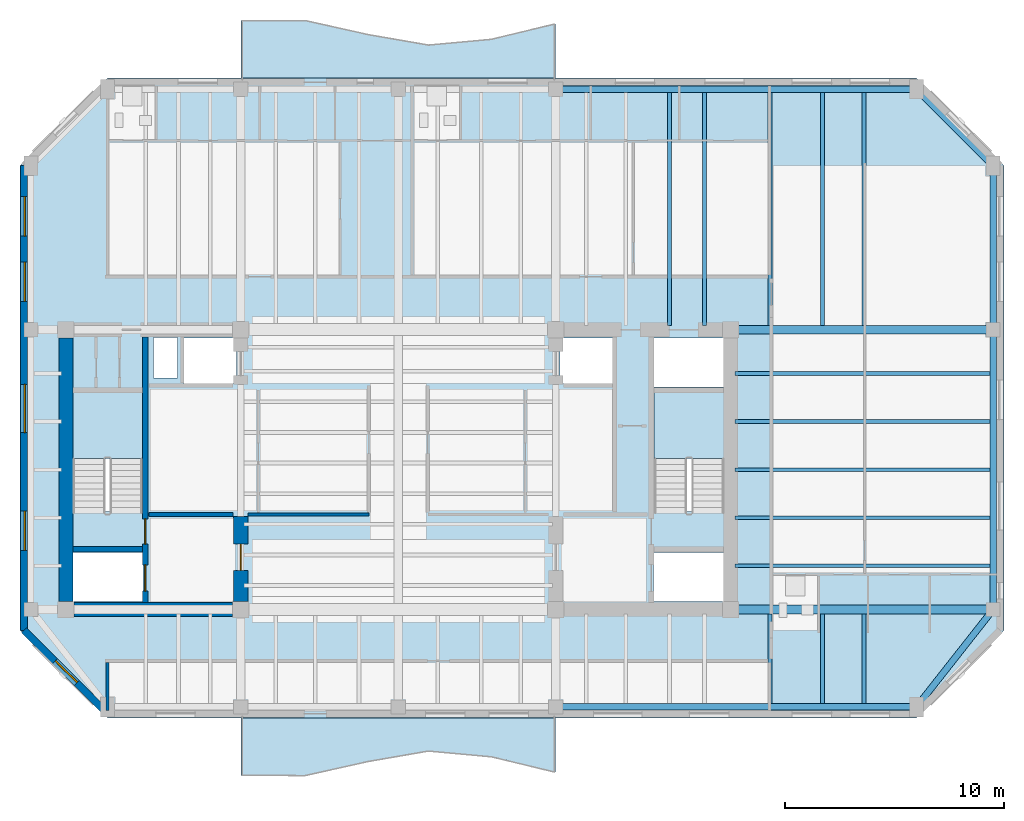
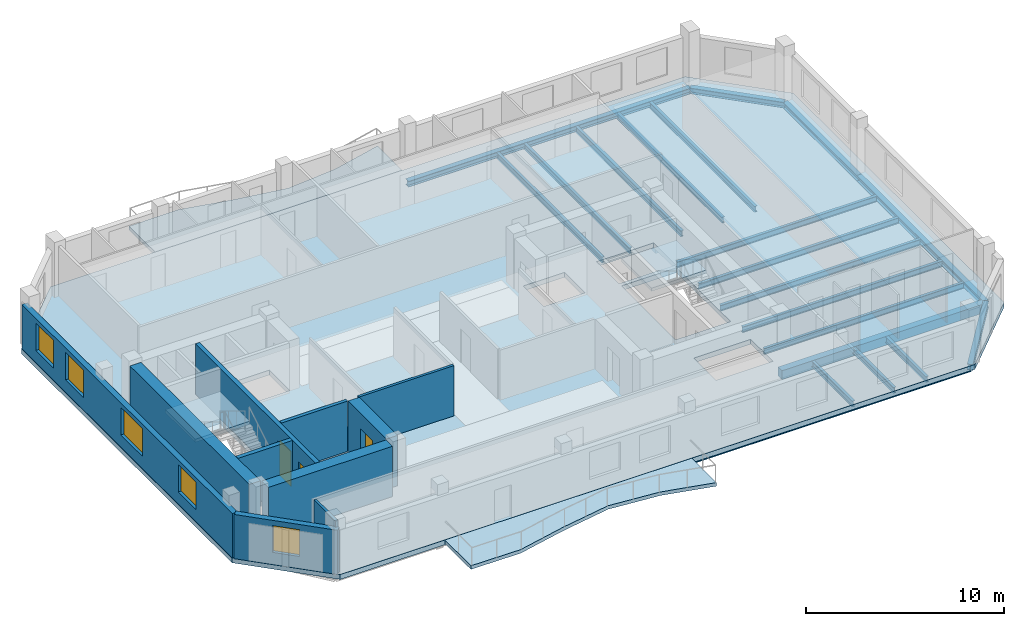
# One storey, part 2 of 9: 21 beams, 10 walls, 5 slabs, 5 windows, 3 doors, 8 openings, 2 elements without a shape of their own.
"""IFC4 building model written with IfcOpenShell, lengths in metres."""

from ifc_helpers import new_model, si_unit, direction, frame, frame_2d, origin, origin_2d, place, context, subcontext, project, spatial, polyline, rectangle, i_section, outline, extrude, material, layer, layer_set, material_profile, profile_set, type_object, element, fill, aggregate, save


model = new_model("IFC4")

# Units and contexts
model_context = context("Model", 3, precision=1e-05, world=origin(), true_north=direction((0.0, 1.0)))
body_context = subcontext(model_context, "Body", "Model", "MODEL_VIEW")
ifc_project = project(units=[si_unit("LENGTHUNIT", "METRE"), si_unit("AREAUNIT", "SQUARE_METRE"), si_unit("VOLUMEUNIT", "CUBIC_METRE"), si_unit("PLANEANGLEUNIT", "RADIAN"), si_unit("MASSUNIT", "GRAM", prefix="KILO")], contexts=[model_context])

# Site, building, storey
site_placement = place(None, origin())
site = spatial("IfcSite", under=ifc_project, at=site_placement, CompositionType="ELEMENT")
building_placement = place(site_placement, origin())
building = spatial("IfcBuilding", under=site, at=building_placement, Name="Kranthara Brick Stack", CompositionType="ELEMENT")
storey_placement = place(building_placement, frame((0.0, 0.0, 255.10009765625)))
storey = spatial("IfcBuildingStorey", under=building, at=storey_placement, Name="L67", CompositionType="ELEMENT", Elevation=255.10009765625)

# Beams
ifc_material_1 = material(Name="Post-tensioned concrete C45/55", Category="concrete")
ifc_material_profile_1 = material_profile(ifc_material_1, rectangle(XDim=0.39990234375, YDim=0.550048828125, at=origin_2d()), Name="PT 400x550")
ifc_profile_set_1 = profile_set([ifc_material_profile_1], Name="Post-tensioned concrete C45/55")
beam_type_1 = type_object("IfcBeamType", Name="BM-FLR-PT550", PredefinedType="BEAM", material=ifc_profile_set_1)
for number, where, z_axis, x_axis, name in (
    (1, (43.199951171875, 20.800048828125, -0.5751953125), (1.0, 0.0, 0.0), (0.0, 1.0, 0.0), "L67 Primary Grid Girder 029"),
    (2, (43.199951171875, 33.60009765625, -0.5751953125), (1.0, 0.0, 0.0), (0.0, 1.0, 0.0), "L67 Primary Grid Girder 031"),
):
    element("IfcBeam", number, at=place(storey_placement, frame(where, z_axis=z_axis, x_axis=x_axis)), inside=storey, type_object=beam_type_1, Name=name, PredefinedType="BEAM", context=body_context, shape_type="SweptSolid", body=[
        extrude(rectangle(XDim=0.39990234375, YDim=0.550048828125, at=origin_2d()), origin(), (0.0, 0.0, 1.0), 12.0),
    ])
ifc_material_2 = material(Name="Steel S355", Category="steel")
ifc_material_profile_2 = material_profile(ifc_material_2, i_section(OverallWidth=0.169921875, OverallDepth=0.360107421875, WebThickness=0.008056640625, FlangeThickness=0.0126953125, at=origin_2d()), Name="IPE 360")
ifc_profile_set_2 = profile_set([ifc_material_profile_2], Name="Steel S355")
beam_type_2 = type_object("IfcBeamType", Name="BM-JST-IPE360", PredefinedType="JOIST", material=ifc_profile_set_2)
for number, where, z_axis, x_axis, name in (
    (3, (40.39990234375, 33.800048828125, -0.47998046875), (0.0, 1.0, 0.0), (-1.0, 0.0, 0.0), "L67 North Wing Floor Joist 073"),
    (4, (42.0, 33.800048828125, -0.47998046875), (0.0, 1.0, 0.0), (-1.0, 0.0, 0.0), "L67 North Wing Floor Joist 075"),
):
    element("IfcBeam", number, at=place(storey_placement, frame(where, z_axis=z_axis, x_axis=x_axis)), inside=storey, type_object=beam_type_2, Name=name, PredefinedType="JOIST", context=body_context, shape_type="SweptSolid", body=[
        extrude(i_section(OverallWidth=0.169921875, OverallDepth=0.360107421875, WebThickness=0.008056640625, FlangeThickness=0.0126953125, at=origin_2d()), origin(), (0.0, 0.0, 1.0), 10.64990234375),
    ])
beam_1_placement = place(storey_placement, frame((45.0, 16.5, -0.47998046875), z_axis=(0.0, 1.0, 0.0), x_axis=(-1.0, 0.0, 0.0)))
element("IfcBeam", 5, at=beam_1_placement, inside=storey, type_object=beam_type_2, Name="L67 South Wing Floor Joist 076", PredefinedType="JOIST", context=body_context, shape_type="SweptSolid", body=[
    extrude(i_section(OverallWidth=0.169921875, OverallDepth=0.360107421875, WebThickness=0.008056640625, FlangeThickness=0.0126953125, at=origin_2d()), origin(), (0.0, 0.0, 1.0), 4.10009765625),
])
beam_2_placement = place(storey_placement, frame((45.0, 33.800048828125, -0.47998046875), z_axis=(0.0, 1.0, 0.0), x_axis=(-1.0, 0.0, 0.0)))
element("IfcBeam", 6, at=beam_2_placement, inside=storey, type_object=beam_type_2, Name="L67 North Wing Floor Joist 077", PredefinedType="JOIST", context=body_context, shape_type="SweptSolid", body=[
    extrude(i_section(OverallWidth=0.169921875, OverallDepth=0.360107421875, WebThickness=0.008056640625, FlangeThickness=0.0126953125, at=origin_2d()), origin(), (0.0, 0.0, 1.0), 10.64990234375),
])
beam_3_placement = place(storey_placement, frame((47.39990234375, 16.5, -0.47998046875), z_axis=(0.0, 1.0, 0.0), x_axis=(-1.0, 0.0, 0.0)))
element("IfcBeam", 7, at=beam_3_placement, inside=storey, type_object=beam_type_2, Name="L67 South Wing Floor Joist 078", PredefinedType="JOIST", context=body_context, shape_type="SweptSolid", body=[
    extrude(i_section(OverallWidth=0.169921875, OverallDepth=0.360107421875, WebThickness=0.008056640625, FlangeThickness=0.0126953125, at=origin_2d()), origin(), (0.0, 0.0, 1.0), 4.10009765625),
])
beam_4_placement = place(storey_placement, frame((47.39990234375, 33.800048828125, -0.47998046875), z_axis=(0.0, 1.0, 0.0), x_axis=(-1.0, 0.0, 0.0)))
element("IfcBeam", 8, at=beam_4_placement, inside=storey, type_object=beam_type_2, Name="L67 North Wing Floor Joist 079", PredefinedType="JOIST", context=body_context, shape_type="SweptSolid", body=[
    extrude(i_section(OverallWidth=0.169921875, OverallDepth=0.360107421875, WebThickness=0.008056640625, FlangeThickness=0.0126953125, at=origin_2d()), origin(), (0.0, 0.0, 1.0), 10.64990234375),
])
beam_5_placement = place(storey_placement, frame((49.300048828125, 16.5, -0.47998046875), z_axis=(0.0, 1.0, 0.0), x_axis=(-1.0, 0.0, 0.0)))
element("IfcBeam", 9, at=beam_5_placement, inside=storey, type_object=beam_type_2, Name="L67 South Wing Floor Joist 080", PredefinedType="JOIST", context=body_context, shape_type="SweptSolid", body=[
    extrude(i_section(OverallWidth=0.169921875, OverallDepth=0.360107421875, WebThickness=0.008056640625, FlangeThickness=0.0126953125, at=origin_2d()), origin(), (0.0, 0.0, 1.0), 4.10009765625),
])
beam_6_placement = place(storey_placement, frame((49.300048828125, 33.800048828125, -0.47998046875), z_axis=(0.0, 1.0, 0.0), x_axis=(-1.0, 0.0, 0.0)))
element("IfcBeam", 10, at=beam_6_placement, inside=storey, type_object=beam_type_2, Name="L67 North Wing Floor Joist 081", PredefinedType="JOIST", context=body_context, shape_type="SweptSolid", body=[
    extrude(i_section(OverallWidth=0.169921875, OverallDepth=0.360107421875, WebThickness=0.008056640625, FlangeThickness=0.0126953125, at=origin_2d()), origin(), (0.0, 0.0, 1.0), 10.64990234375),
])
for number, where, z_axis, x_axis, name in (
    (11, (43.39990234375, 22.800048828125, -0.47998046875), (1.0, 0.0, 0.0), (0.0, 1.0, 0.0), "L67 East Wing Floor Joist 083"),
    (12, (43.39990234375, 25.0, -0.47998046875), (1.0, 0.0, 0.0), (0.0, 1.0, 0.0), "L67 East Wing Floor Joist 085"),
    (13, (43.39990234375, 27.199951171875, -0.47998046875), (1.0, 0.0, 0.0), (0.0, 1.0, 0.0), "L67 East Wing Floor Joist 087"),
    (14, (43.39990234375, 29.39990234375, -0.47998046875), (1.0, 0.0, 0.0), (0.0, 1.0, 0.0), "L67 East Wing Floor Joist 089"),
    (15, (43.39990234375, 31.60009765625, -0.47998046875), (1.0, 0.0, 0.0), (0.0, 1.0, 0.0), "L67 East Wing Floor Joist 091"),
):
    element("IfcBeam", number, at=place(storey_placement, frame(where, z_axis=z_axis, x_axis=x_axis)), inside=storey, type_object=beam_type_2, Name=name, PredefinedType="JOIST", context=body_context, shape_type="SweptSolid", body=[
        extrude(i_section(OverallWidth=0.169921875, OverallDepth=0.360107421875, WebThickness=0.008056640625, FlangeThickness=0.0126953125, at=origin_2d()), origin(), (0.0, 0.0, 1.0), 11.650146484375),
    ])
ifc_material_3 = material(Name="Steel S355", Category="steel")
ifc_material_profile_3 = material_profile(ifc_material_3, i_section(OverallWidth=0.300048828125, OverallDepth=0.360107421875, WebThickness=0.012451171875, FlangeThickness=0.0224609375, at=origin_2d()), Name="HEB 360")
ifc_profile_set_3 = profile_set([ifc_material_profile_3], Name="Steel S355")
beam_type_3 = type_object("IfcBeamType", Name="BM-STL-HEB360", PredefinedType="SPANDREL", material=ifc_profile_set_3)
for number, where, z_axis, x_axis, name in (
    (16, (35.199951171875, 16.35009765625, -0.47998046875), (1.0, 0.0, 0.0), (0.0, 1.0, 0.0), "L67 Perimeter Spandrel Beam 008"),
    (17, (35.199951171875, 44.60009765625, -0.47998046875), (1.0, 0.0, 0.0), (0.0, 1.0, 0.0), "L67 Perimeter Spandrel Beam 012"),
):
    element("IfcBeam", number, at=place(storey_placement, frame(where, z_axis=z_axis, x_axis=x_axis)), inside=storey, type_object=beam_type_3, Name=name, PredefinedType="SPANDREL", context=body_context, shape_type="SweptSolid", body=[
        extrude(i_section(OverallWidth=0.300048828125, OverallDepth=0.360107421875, WebThickness=0.012451171875, FlangeThickness=0.0224609375, at=origin_2d()), origin(), (0.0, 0.0, 1.0), 16.5),
    ])
beam_7_placement = place(storey_placement, frame((55.199951171875, 20.800048828125, -0.47998046875), z_axis=(0.0, 1.0, 0.0), x_axis=(-1.0, 0.0, 0.0)))
element("IfcBeam", 18, at=beam_7_placement, inside=storey, type_object=beam_type_3, Name="L67 Perimeter Spandrel Beam 015", PredefinedType="SPANDREL", context=body_context, shape_type="SweptSolid", body=[
    extrude(i_section(OverallWidth=0.300048828125, OverallDepth=0.360107421875, WebThickness=0.012451171875, FlangeThickness=0.0224609375, at=origin_2d()), origin(), (0.0, 0.0, 1.0), 12.800048828125),
])
beam_8_placement = place(storey_placement, frame((55.199951171875, 33.60009765625, -0.47998046875), z_axis=(0.0, 1.0, 0.0), x_axis=(-1.0, 0.0, 0.0)))
element("IfcBeam", 19, at=beam_8_placement, inside=storey, type_object=beam_type_3, Name="L67 Perimeter Spandrel Beam 016", PredefinedType="SPANDREL", context=body_context, shape_type="SweptSolid", body=[
    extrude(i_section(OverallWidth=0.300048828125, OverallDepth=0.360107421875, WebThickness=0.012451171875, FlangeThickness=0.0224609375, at=origin_2d()), origin(), (0.0, 0.0, 1.0), 7.5),
])
beam_9_placement = place(storey_placement, frame((51.699951171875, 16.35009765625, -0.47998046875), z_axis=(0.618215705636, 0.78600848679, 0.0), x_axis=(-0.78600848679, 0.618215705636, 0.0)))
element("IfcBeam", 20, at=beam_9_placement, inside=storey, type_object=beam_type_3, Name="L67 Chamfer Corner Spandrel 018", PredefinedType="SPANDREL", context=body_context, shape_type="SweptSolid", body=[
    extrude(i_section(OverallWidth=0.300048828125, OverallDepth=0.360107421875, WebThickness=0.012451171875, FlangeThickness=0.0224609375, at=origin_2d()), origin(), (0.0, 0.0, 1.0), 5.661376953125),
])
beam_10_placement = place(storey_placement, frame((51.699951171875, 44.60009765625, -0.47998046875), z_axis=(0.707106781187, -0.707106781187, 0.0), x_axis=(0.707106781187, 0.707106781187, 0.0)))
element("IfcBeam", 21, at=beam_10_placement, inside=storey, type_object=beam_type_3, Name="L67 Chamfer Corner Spandrel 020", PredefinedType="SPANDREL", context=body_context, shape_type="SweptSolid", body=[
    extrude(i_section(OverallWidth=0.300048828125, OverallDepth=0.360107421875, WebThickness=0.012451171875, FlangeThickness=0.0224609375, at=origin_2d()), origin(), (0.0, 0.0, 1.0), 4.94970703125),
])

# Slabs
ifc_material_4 = material(Name="Concrete C45/55", Category="concrete")
ifc_layer_1 = layer(ifc_material_4, 0.219970703125)
ifc_layer_set_1 = layer_set([ifc_layer_1], Name="Concrete C45/55")
slab_type_1 = type_object("IfcSlabType", Name="SLB-BALC-220", PredefinedType="FLOOR", material=ifc_layer_set_1)
slab_1_placement = place(storey_placement, frame((0.0, 0.0, -0.22021484375)))
element("IfcSlab", 22, at=slab_1_placement, inside=storey, type_object=slab_type_1, Name="L67 South Rippling Balcony Slab", PredefinedType="FLOOR", context=body_context, shape_type="SweptSolid", body=[
    extrude(outline(polyline([(20.800048828125, 15.85009765625), (35.199951171875, 15.85009765625), (35.199951171875, 13.365966796875), (32.320068359375, 14.06689453125), (29.43994140625, 14.337646484375), (26.56005859375, 13.838134765625), (23.679931640625, 13.1962890625), (20.800048828125, 13.219482421875), (20.800048828125, 15.85009765625)])), origin(), (0.0, 0.0, 1.0), 0.22021484375),
])
slab_2_placement = place(storey_placement, frame((0.0, 0.0, -0.22021484375)))
element("IfcSlab", 23, at=slab_2_placement, inside=storey, type_object=slab_type_1, Name="L67 North Rippling Balcony Slab", PredefinedType="FLOOR", context=body_context, shape_type="SweptSolid", body=[
    extrude(outline(polyline([(35.199951171875, 45.10009765625), (20.800048828125, 45.10009765625), (20.800048828125, 47.730712890625), (23.679931640625, 47.75390625), (26.56005859375, 47.112060546875), (29.43994140625, 46.6123046875), (32.320068359375, 46.883056640625), (35.199951171875, 47.583984375), (35.199951171875, 45.10009765625)])), origin(), (0.0, 0.0, 1.0), 0.22021484375),
])

# Stair, slab
ifc_material_5 = material(Name="Concrete C45/55", Category="concrete")
stair_type = type_object("IfcStairType", Name="ST-CORE-20R", PredefinedType="HALF_TURN_STAIR", material=ifc_material_5)
stair_1_placement = place(storey_placement, origin())
stair_1 = element("IfcStair", 24, at=stair_1_placement, inside=storey, type_object=stair_type, Name="L67 West Core Protected Exit Stair ST01", PredefinedType="HALF_TURN_STAIR")
ifc_material_6 = material(Name="Concrete C45/55", Category="concrete")
ifc_layer_2 = layer(ifc_material_6, 0.199951171875)
ifc_layer_set_2 = layer_set([ifc_layer_2], Name="Concrete C45/55")
slab_type_2 = type_object("IfcSlabType", Name="SLB-LANDING-200", PredefinedType="LANDING", material=ifc_layer_set_2)
slab_3_placement = place(storey_placement, frame((0.0, 0.0, 1.5)))
slab_3 = element("IfcSlab", 25, at=slab_3_placement, type_object=slab_type_2, Name="ST01 landing 1", PredefinedType="LANDING", context=body_context, shape_type="SweptSolid", body=[
    extrude(outline(polyline([(16.300048828125, 27.719970703125), (16.300048828125, 30.75), (13.10009765625, 30.75), (13.10009765625, 27.719970703125), (16.300048828125, 27.719970703125)])), origin(), (0.0, 0.0, 1.0), 0.199951171875),
])
aggregate(stair_1, [slab_3])

stair_2_placement = place(storey_placement, origin())
stair_2 = element("IfcStair", 26, at=stair_2_placement, inside=storey, type_object=stair_type, Name="L67 East Core Protected Exit Stair ST02", PredefinedType="HALF_TURN_STAIR")
slab_4_placement = place(storey_placement, frame((0.0, 0.0, 1.5)))
slab_4 = element("IfcSlab", 27, at=slab_4_placement, type_object=slab_type_2, Name="ST02 landing 1", PredefinedType="LANDING", context=body_context, shape_type="SweptSolid", body=[
    extrude(outline(polyline([(42.89990234375, 27.719970703125), (42.89990234375, 30.75), (39.699951171875, 30.75), (39.699951171875, 27.719970703125), (42.89990234375, 27.719970703125)])), origin(), (0.0, 0.0, 1.0), 0.199951171875),
])
aggregate(stair_2, [slab_4])

# Slab
ifc_material_7 = material(Name="Post-tensioned concrete C45/55", Category="concrete")
ifc_layer_3 = layer(ifc_material_7, 0.300048828125)
ifc_layer_set_3 = layer_set([ifc_layer_3], Name="Post-tensioned concrete C45/55")
slab_type_3 = type_object("IfcSlabType", Name="SLB-TWR-300", PredefinedType="FLOOR", material=ifc_layer_set_3)
slab_5_placement = place(storey_placement, frame((0.0, 0.0, -0.300048828125)))
element("IfcSlab", 28, at=slab_5_placement, inside=storey, type_object=slab_type_3, Name="L67 Structural Floor Plate", PredefinedType="FLOOR", context=body_context, shape_type="SweptSolid", body=[
    extrude(outline(polyline([(14.699951171875, 15.85009765625), (51.699951171875, 15.85009765625), (55.699951171875, 19.85009765625), (55.699951171875, 41.10009765625), (51.699951171875, 45.10009765625), (14.699951171875, 45.10009765625), (10.699951171875, 41.10009765625), (10.699951171875, 19.85009765625), (14.699951171875, 15.85009765625)]), holes=[polyline([(13.10009765625, 25.280029296875), (16.300048828125, 25.280029296875), (16.300048828125, 30.75), (13.10009765625, 30.75), (13.10009765625, 25.280029296875)]), polyline([(39.699951171875, 25.280029296875), (42.89990234375, 25.280029296875), (42.89990234375, 30.75), (39.699951171875, 30.75), (39.699951171875, 25.280029296875)]), polyline([(13.0, 21.179931640625), (16.320068359375, 21.179931640625), (16.320068359375, 23.419921875), (13.0, 23.419921875), (13.0, 21.179931640625)]), polyline([(39.679931640625, 21.179931640625), (43.0, 21.179931640625), (43.0, 23.419921875), (39.679931640625, 23.419921875), (39.679931640625, 21.179931640625)]), polyline([(39.679931640625, 30.97998046875), (43.0, 30.97998046875), (43.0, 33.219970703125), (39.679931640625, 33.219970703125), (39.679931640625, 30.97998046875)]), polyline([(18.199951171875, 31.14990234375), (20.60009765625, 31.14990234375), (20.60009765625, 33.219970703125), (18.199951171875, 33.219970703125), (18.199951171875, 31.14990234375)]), polyline([(35.39990234375, 31.14990234375), (37.800048828125, 31.14990234375), (37.800048828125, 33.219970703125), (35.39990234375, 33.219970703125), (35.39990234375, 31.14990234375)]), polyline([(16.800048828125, 31.39990234375), (17.89990234375, 31.39990234375), (17.89990234375, 33.25), (16.800048828125, 33.25), (16.800048828125, 31.39990234375)])]), origin(), (0.0, 0.0, 1.0), 0.300048828125),
])

# Wall, opening, window
ifc_material_8 = material(Name="Warm buff clay brick masonry M15", Category="masonry")
ifc_layer_4 = layer(ifc_material_8, 0.320068359375)
ifc_layer_set_4 = layer_set([ifc_layer_4], Name="Warm buff clay brick masonry M15")
wall_type_1 = type_object("IfcWallType", Name="WL-BRK-UPPR-320", PredefinedType="STANDARD", material=ifc_layer_set_4)
wall_1_placement = place(storey_placement, frame((14.699951171875, 16.030029296875, 0.0), z_axis=(0.0, 0.0, 1.0), x_axis=(-0.707106781187, 0.707106781187, 0.0)))
wall_1 = element("IfcWall", 29, at=wall_1_placement, inside=storey, type_object=wall_type_1, Name="L67 Exterior Brick Facade Wall SW 1", PredefinedType="STANDARD", context=body_context, shape_type="SweptSolid", body=[
    extrude(rectangle(XDim=5.40234375, YDim=0.320068359375, at=frame_2d((2.701171875, 0.0))), origin(), (0.0, 0.0, 1.0), 2.724853515625),
])
opening_1_placement = place(wall_1_placement, frame((2.0009765625, 0.0, 0.75)))
opening_1 = element("IfcOpeningElement", 30, at=opening_1_placement, cuts=wall_1, Name="Opening WN10", PredefinedType="OPENING", context=body_context, shape_type="SweptSolid", body=[
    extrude(rectangle(XDim=1.39990234375, YDim=1.64990234375, at=frame_2d((0.699951171875, 0.824951171875))), frame((0.0, 0.169921875, 0.0), z_axis=(0.0, -1.0, 0.0), x_axis=(1.0, 0.0, 0.0)), (0.0, 0.0, 1.0), 0.340087890625),
])
ifc_material_9 = material(Name="Double-glazed low-E solar control glass", Category="glass")
window_type_1 = type_object("IfcWindowType", Name="WN-CHM-1400x1750", PartitioningType="SINGLE_PANEL", PredefinedType="WINDOW", material=ifc_material_9)
window_1_placement = place(opening_1_placement, origin())
window_1 = element("IfcWindow", 31, at=window_1_placement, inside=storey, type_object=window_type_1, Name="L67 SW Chamfer Corner Window", OverallHeight=1.64990234375, OverallWidth=1.39990234375, PartitioningType="SINGLE_PANEL", PredefinedType="WINDOW", context=body_context, shape_type="SweptSolid", body=[
    extrude(rectangle(XDim=1.39990234375, YDim=1.64990234375, at=frame_2d((0.699951171875, 0.824951171875))), frame((0.0, -0.010009765625, 0.0), z_axis=(0.0, -1.0, 0.0), x_axis=(1.0, 0.0, 0.0)), (0.0, 0.0, 1.0), 0.06005859375),
])
fill(opening_1, window_1)

# Wall, openings, windows
wall_2_placement = place(storey_placement, frame((10.8798828125, 19.85009765625, 0.0), z_axis=(0.0, 0.0, 1.0), x_axis=(0.0, 1.0, 0.0)))
wall_2 = element("IfcWall", 32, at=wall_2_placement, inside=storey, type_object=wall_type_1, Name="L67 Exterior Brick Facade Wall WEST 1", PredefinedType="STANDARD", context=body_context, shape_type="SweptSolid", body=[
    extrude(rectangle(XDim=21.25, YDim=0.320068359375, at=frame_2d((10.625, 0.0))), origin(), (0.0, 0.0, 1.0), 2.724853515625),
])
opening_2_placement = place(wall_2_placement, frame((3.654052734375, 0.0, 0.75)))
opening_2 = element("IfcOpeningElement", 33, at=opening_2_placement, cuts=wall_2, Name="Opening WN07", PredefinedType="OPENING", context=body_context, shape_type="SweptSolid", body=[
    extrude(rectangle(XDim=1.800048828125, YDim=1.699951171875, at=frame_2d((0.89990234375, 0.85009765625))), frame((0.0, 0.169921875, 0.0), z_axis=(0.0, -1.0, 0.0), x_axis=(1.0, 0.0, 0.0)), (0.0, 0.0, 1.0), 0.340087890625),
])
opening_3_placement = place(wall_2_placement, frame((9.0458984375, 0.0, 0.75)))
opening_3 = element("IfcOpeningElement", 34, at=opening_3_placement, cuts=wall_2, Name="Opening WN08", PredefinedType="OPENING", context=body_context, shape_type="SweptSolid", body=[
    extrude(rectangle(XDim=2.199951171875, YDim=1.699951171875, at=frame_2d((1.10009765625, 0.85009765625))), frame((0.0, 0.169921875, 0.0), z_axis=(0.0, -1.0, 0.0), x_axis=(1.0, 0.0, 0.0)), (0.0, 0.0, 1.0), 0.340087890625),
])
opening_4_placement = place(wall_2_placement, frame((15.04296875, 0.0, 0.75)))
opening_4 = element("IfcOpeningElement", 35, at=opening_4_placement, cuts=wall_2, Name="Opening WN07", PredefinedType="OPENING", context=body_context, shape_type="SweptSolid", body=[
    extrude(rectangle(XDim=1.800048828125, YDim=1.699951171875, at=frame_2d((0.89990234375, 0.85009765625))), frame((0.0, 0.169921875, 0.0), z_axis=(0.0, -1.0, 0.0), x_axis=(1.0, 0.0, 0.0)), (0.0, 0.0, 1.0), 0.340087890625),
])
opening_5_placement = place(wall_2_placement, frame((18.031982421875, 0.0, 0.75)))
opening_5 = element("IfcOpeningElement", 36, at=opening_5_placement, cuts=wall_2, Name="Opening WN07", PredefinedType="OPENING", context=body_context, shape_type="SweptSolid", body=[
    extrude(rectangle(XDim=1.800048828125, YDim=1.699951171875, at=frame_2d((0.89990234375, 0.85009765625))), frame((0.0, 0.169921875, 0.0), z_axis=(0.0, -1.0, 0.0), x_axis=(1.0, 0.0, 0.0)), (0.0, 0.0, 1.0), 0.340087890625),
])
ifc_material_10 = material(Name="Double-glazed low-E solar control glass", Category="glass")
window_type_2 = type_object("IfcWindowType", Name="WN-RES-1800x1850", PartitioningType="DOUBLE_PANEL_VERTICAL", PredefinedType="WINDOW", material=ifc_material_10)
window_2_placement = place(opening_2_placement, origin())
window_2 = element("IfcWindow", 37, at=window_2_placement, inside=storey, type_object=window_type_2, Name="L67 West Deep-Set Brick Window 01", OverallHeight=1.699951171875, OverallWidth=1.800048828125, PartitioningType="SINGLE_PANEL", PredefinedType="WINDOW", context=body_context, shape_type="SweptSolid", body=[
    extrude(rectangle(XDim=1.800048828125, YDim=1.699951171875, at=frame_2d((0.89990234375, 0.85009765625))), frame((0.0, -0.010009765625, 0.0), z_axis=(0.0, -1.0, 0.0), x_axis=(1.0, 0.0, 0.0)), (0.0, 0.0, 1.0), 0.06005859375),
])
fill(opening_2, window_2)
window_3_placement = place(opening_4_placement, origin())
window_3 = element("IfcWindow", 38, at=window_3_placement, inside=storey, type_object=window_type_2, Name="L67 West Deep-Set Brick Window 03", OverallHeight=1.699951171875, OverallWidth=1.800048828125, PartitioningType="SINGLE_PANEL", PredefinedType="WINDOW", context=body_context, shape_type="SweptSolid", body=[
    extrude(rectangle(XDim=1.800048828125, YDim=1.699951171875, at=frame_2d((0.89990234375, 0.85009765625))), frame((0.0, -0.010009765625, 0.0), z_axis=(0.0, -1.0, 0.0), x_axis=(1.0, 0.0, 0.0)), (0.0, 0.0, 1.0), 0.06005859375),
])
fill(opening_4, window_3)
window_4_placement = place(opening_5_placement, origin())
window_4 = element("IfcWindow", 39, at=window_4_placement, inside=storey, type_object=window_type_2, Name="L67 West Deep-Set Brick Window 04", OverallHeight=1.699951171875, OverallWidth=1.800048828125, PartitioningType="SINGLE_PANEL", PredefinedType="WINDOW", context=body_context, shape_type="SweptSolid", body=[
    extrude(rectangle(XDim=1.800048828125, YDim=1.699951171875, at=frame_2d((0.89990234375, 0.85009765625))), frame((0.0, -0.010009765625, 0.0), z_axis=(0.0, -1.0, 0.0), x_axis=(1.0, 0.0, 0.0)), (0.0, 0.0, 1.0), 0.06005859375),
])
fill(opening_5, window_4)
ifc_material_11 = material(Name="Double-glazed low-E solar control glass", Category="glass")
window_type_3 = type_object("IfcWindowType", Name="WN-RES-2200x1850", PartitioningType="TRIPLE_PANEL_VERTICAL", PredefinedType="WINDOW", material=ifc_material_11)
window_5_placement = place(opening_3_placement, origin())
window_5 = element("IfcWindow", 40, at=window_5_placement, inside=storey, type_object=window_type_3, Name="L67 West Deep-Set Brick Window 02", OverallHeight=1.699951171875, OverallWidth=2.199951171875, PartitioningType="SINGLE_PANEL", PredefinedType="WINDOW", context=body_context, shape_type="SweptSolid", body=[
    extrude(rectangle(XDim=2.199951171875, YDim=1.699951171875, at=frame_2d((1.10009765625, 0.85009765625))), frame((0.0, -0.010009765625, 0.0), z_axis=(0.0, -1.0, 0.0), x_axis=(1.0, 0.0, 0.0)), (0.0, 0.0, 1.0), 0.06005859375),
])
fill(opening_3, window_5)

# Wall, openings, doors
ifc_material_12 = material(Name="Concrete C50/60", Category="concrete")
ifc_layer_5 = layer(ifc_material_12, 0.25)
ifc_layer_set_5 = layer_set([ifc_layer_5], Name="Concrete C50/60")
wall_type_2 = type_object("IfcWallType", Name="WL-CORE-250", PredefinedType="SHEAR", material=ifc_layer_set_5)
wall_3_placement = place(storey_placement, frame((16.43505859375, 21.135009765625, 0.0), z_axis=(0.0, 0.0, 1.0), x_axis=(0.0, 1.0, 0.0)))
wall_3 = element("IfcWall", 41, at=wall_3_placement, inside=storey, type_object=wall_type_2, Name="L67 West Core Stair Bearing Spine Wall", PredefinedType="SHEAR", context=body_context, shape_type="SweptSolid", body=[
    extrude(rectangle(XDim=12.1298828125, YDim=0.25, at=frame_2d((6.06494140625, 0.0))), origin(), (0.0, 0.0, 1.0), 3.099853515625),
])
opening_6_placement = place(wall_3_placement, frame((0.514892578125, 0.0, 0.0)))
opening_6 = element("IfcOpeningElement", 42, at=opening_6_placement, cuts=wall_3, Name="Opening LD01", PredefinedType="OPENING", context=body_context, shape_type="SweptSolid", body=[
    extrude(rectangle(XDim=1.199951171875, YDim=2.14990234375, at=frame_2d((0.60009765625, 1.074951171875))), frame((0.0, 0.135009765625, 0.0), z_axis=(0.0, -1.0, 0.0), x_axis=(1.0, 0.0, 0.0)), (0.0, 0.0, 1.0), 0.27001953125),
])
opening_7_placement = place(wall_3_placement, frame((2.6650390625, 0.0, 0.0)))
opening_7 = element("IfcOpeningElement", 43, at=opening_7_placement, cuts=wall_3, Name="Opening D05", PredefinedType="OPENING", context=body_context, shape_type="SweptSolid", body=[
    extrude(rectangle(XDim=1.14990234375, YDim=2.14990234375, at=frame_2d((0.574951171875, 1.074951171875))), frame((0.0, 0.135009765625, 0.0), z_axis=(0.0, -1.0, 0.0), x_axis=(1.0, 0.0, 0.0)), (0.0, 0.0, 1.0), 0.27001953125),
])
ifc_material_13 = material(Name="Stainless steel sliding landing door", Category="steel")
door_type_1 = type_object("IfcDoorType", Name="DR-LD-FF1200", OperationType="DOUBLE_DOOR_SLIDING", PredefinedType="DOOR", material=ifc_material_13)
door_1_placement = place(opening_6_placement, origin())
door_1 = element("IfcDoor", 44, at=door_1_placement, inside=storey, type_object=door_type_1, Name="L67 Firefighting Lift FF-01 Landing Door", OperationType="DOUBLE_DOOR_SLIDING", OverallHeight=2.14990234375, OverallWidth=1.199951171875, PredefinedType="DOOR", context=body_context, shape_type="SweptSolid", body=[
    extrude(rectangle(XDim=1.199951171875, YDim=2.14990234375, at=frame_2d((0.60009765625, 1.074951171875))), frame((0.0, 0.02490234375, 0.0), z_axis=(0.0, -1.0, 0.0), x_axis=(1.0, 0.0, 0.0)), (0.0, 0.0, 1.0), 0.050048828125),
])
fill(opening_6, door_1)
ifc_material_14 = material(Name="Solid-core hardwood timber leaf in steel frame", Category="steel")
door_type_2 = type_object("IfcDoorType", Name="DR-ST-1150", OperationType="NOTDEFINED", PredefinedType="DOOR", material=ifc_material_14)
door_2_placement = place(opening_7_placement, origin())
door_2 = element("IfcDoor", 45, at=door_2_placement, inside=storey, type_object=door_type_2, Name="L67 Exit Stair ST01 Door", OperationType="SINGLE_SWING_RIGHT", OverallHeight=2.14990234375, OverallWidth=1.14990234375, PredefinedType="DOOR", context=body_context, shape_type="SweptSolid", body=[
    extrude(rectangle(XDim=1.14990234375, YDim=2.14990234375, at=frame_2d((0.574951171875, 1.074951171875))), frame((0.0, 0.02490234375, 0.0), z_axis=(0.0, -1.0, 0.0), x_axis=(1.0, 0.0, 0.0)), (0.0, 0.0, 1.0), 0.050048828125),
])
fill(opening_7, door_2)

# Walls
wall_4_placement = place(storey_placement, frame((13.135009765625, 23.570068359375, 0.0), z_axis=(0.0, 0.0, 1.0), x_axis=(1.0, 0.0, 0.0)))
element("IfcWall", 46, at=wall_4_placement, inside=storey, type_object=wall_type_2, Name="L67 West Stairwell Bearing Wall WFF", PredefinedType="SHEAR", context=body_context, shape_type="SweptSolid", body=[
    extrude(rectangle(XDim=3.175048828125, YDim=0.25, at=frame_2d((1.58740234375, 0.0))), origin(), (0.0, 0.0, 1.0), 3.099853515625),
])
ifc_material_15 = material(Name="Concrete C60/75", Category="concrete")
ifc_layer_6 = layer(ifc_material_15, 0.64990234375)
ifc_layer_set_6 = layer_set([ifc_layer_6], Name="Concrete C60/75")
wall_type_3 = type_object("IfcWallType", Name="WL-CORE-650", PredefinedType="SHEAR", material=ifc_layer_set_6)
wall_5_placement = place(storey_placement, frame((12.800048828125, 21.179931640625, 0.0), z_axis=(0.0, 0.0, 1.0), x_axis=(0.0, 1.0, 0.0)))
element("IfcWall", 47, at=wall_5_placement, inside=storey, type_object=wall_type_3, Name="L67 West Core Shear Wall West", PredefinedType="SHEAR", context=body_context, shape_type="SweptSolid", body=[
    extrude(rectangle(XDim=12.0400390625, YDim=0.64990234375, at=frame_2d((6.02001953125, 0.0))), origin(), (0.0, 0.0, 1.0), 3.099853515625),
])
wall_6_placement = place(storey_placement, frame((13.179931640625, 20.800048828125, 0.0), z_axis=(0.0, 0.0, 1.0), x_axis=(1.0, 0.0, 0.0)))
element("IfcWall", 48, at=wall_6_placement, inside=storey, type_object=wall_type_3, Name="L67 West Core Shear Wall South", PredefinedType="SHEAR", context=body_context, shape_type="SweptSolid", body=[
    extrude(rectangle(XDim=7.239990234375, YDim=0.64990234375, at=frame_2d((3.6201171875, 0.0))), origin(), (0.0, 0.0, 1.0), 3.099853515625),
])

# Wall, opening, door
wall_7_placement = place(storey_placement, frame((20.800048828125, 21.179931640625, 0.0), z_axis=(0.0, 0.0, 1.0), x_axis=(0.0, 1.0, 0.0)))
wall_7 = element("IfcWall", 49, at=wall_7_placement, inside=storey, type_object=wall_type_3, Name="L67 West Core Lobby Shear Wall", PredefinedType="SHEAR", context=body_context, shape_type="SweptSolid", body=[
    extrude(rectangle(XDim=3.8701171875, YDim=0.64990234375, at=frame_2d((1.93505859375, 0.0))), origin(), (0.0, 0.0, 1.0), 3.099853515625),
])
opening_8_placement = place(wall_7_placement, frame((1.419921875, 0.0, 0.0)))
opening_8 = element("IfcOpeningElement", 50, at=opening_8_placement, cuts=wall_7, Name="Opening D06", PredefinedType="OPENING", context=body_context, shape_type="SweptSolid", body=[
    extrude(rectangle(XDim=1.199951171875, YDim=2.14990234375, at=frame_2d((0.60009765625, 1.074951171875))), frame((0.0, 0.3349609375, 0.0), z_axis=(0.0, -1.0, 0.0), x_axis=(1.0, 0.0, 0.0)), (0.0, 0.0, 1.0), 0.669921875),
])
ifc_material_16 = material(Name="Solid-core hardwood timber leaf in steel frame", Category="steel")
door_type_3 = type_object("IfcDoorType", Name="DR-FFL-1200", OperationType="NOTDEFINED", PredefinedType="DOOR", material=ifc_material_16)
door_3_placement = place(opening_8_placement, origin())
door_3 = element("IfcDoor", 51, at=door_3_placement, inside=storey, type_object=door_type_3, Name="L67 West Firefighting Lobby Door", OperationType="SINGLE_SWING_LEFT", OverallHeight=2.14990234375, OverallWidth=1.199951171875, PredefinedType="DOOR", context=body_context, shape_type="SweptSolid", body=[
    extrude(rectangle(XDim=1.199951171875, YDim=2.14990234375, at=frame_2d((0.60009765625, 1.074951171875))), frame((0.0, 0.02490234375, 0.0), z_axis=(0.0, -1.0, 0.0), x_axis=(1.0, 0.0, 0.0)), (0.0, 0.0, 1.0), 0.050048828125),
])
fill(opening_8, door_3)

# Walls
ifc_material_17 = material(Name="Fire-rated gypsum board partition", Category="other")
ifc_layer_7 = layer(ifc_material_17, 0.14990234375)
ifc_layer_set_7 = layer_set([ifc_layer_7], Name="Fire-rated gypsum board partition")
wall_type_4 = type_object("IfcWallType", Name="WL-PART-150", PredefinedType="PARTITIONING", material=ifc_layer_set_7)
wall_8_placement = place(storey_placement, frame((21.1298828125, 25.14990234375, 0.0), z_axis=(0.0, 0.0, 1.0), x_axis=(1.0, 0.0, 0.0)))
element("IfcWall", 52, at=wall_8_placement, inside=storey, type_object=wall_type_4, Name="L67 Interior Partition 004", PredefinedType="PARTITIONING", context=body_context, shape_type="SweptSolid", body=[
    extrude(rectangle(XDim=5.52001953125, YDim=0.14990234375, at=frame_2d((2.760009765625, 0.0))), origin(), (0.0, 0.0, 1.0), 3.099853515625),
])
wall_9_placement = place(storey_placement, frame((14.699951171875, 16.195068359375, 0.0), z_axis=(0.0, 0.0, 1.0), x_axis=(0.0, 1.0, 0.0)))
element("IfcWall", 53, at=wall_9_placement, inside=storey, type_object=wall_type_4, Name="L67 Interior Partition 011", PredefinedType="PARTITIONING", context=body_context, shape_type="SweptSolid", body=[
    extrude(rectangle(XDim=2.184814453125, YDim=0.14990234375, at=frame_2d((1.09228515625, 0.0))), origin(), (0.0, 0.0, 1.0), 3.099853515625),
])
ifc_material_18 = material(Name="Concrete C40/50", Category="concrete")
ifc_layer_8 = layer(ifc_material_18, 0.199951171875)
ifc_layer_set_8 = layer_set([ifc_layer_8], Name="Concrete C40/50")
wall_type_5 = type_object("IfcWallType", Name="WL-PART-200", PredefinedType="SOLIDWALL", material=ifc_layer_set_8)
wall_10_placement = place(storey_placement, frame((16.60009765625, 25.14990234375, 0.0), z_axis=(0.0, 0.0, 1.0), x_axis=(1.0, 0.0, 0.0)))
element("IfcWall", 54, at=wall_10_placement, inside=storey, type_object=wall_type_5, Name="L67 West Core Cross Wall WFL", PredefinedType="SOLIDWALL", context=body_context, shape_type="SweptSolid", body=[
    extrude(rectangle(XDim=3.849853515625, YDim=0.199951171875, at=frame_2d((1.9248046875, 0.0))), origin(), (0.0, 0.0, 1.0), 3.099853515625),
])

save(model, "model.ifc")
